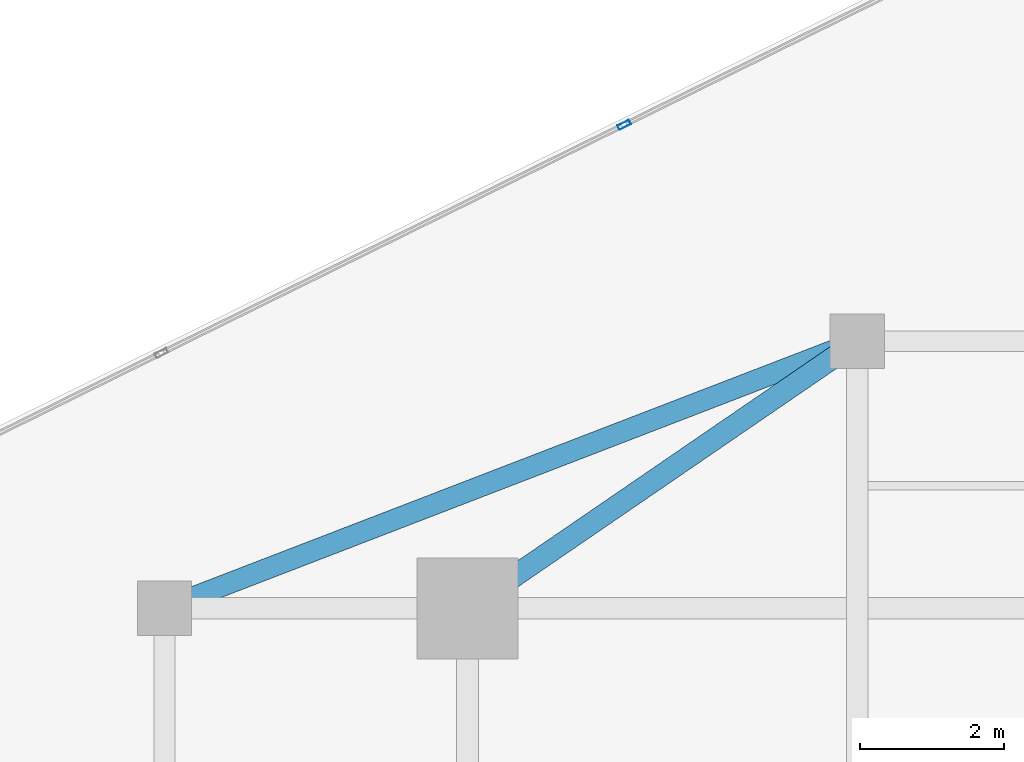
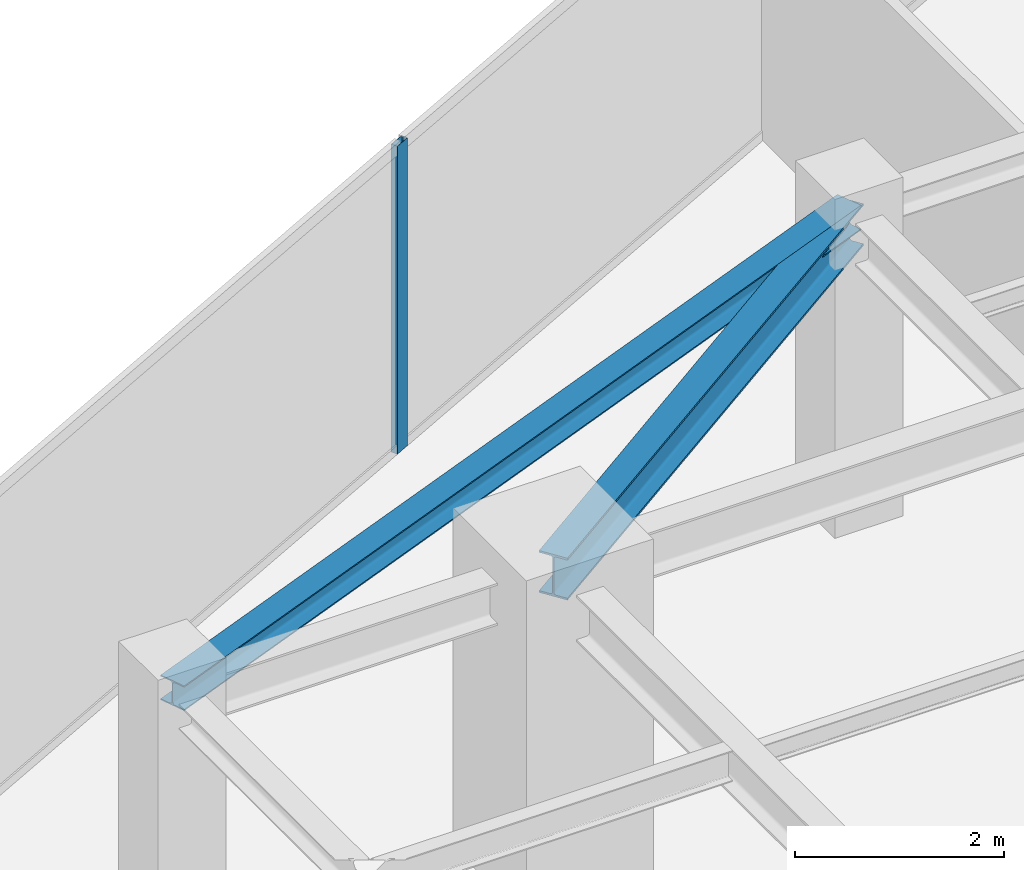
# One storey, part 13 of 22: 2 beams, 1 member, 1 element without a shape of its own.
"""IFC4 building model written with IfcOpenShell, lengths in metres."""

from ifc_helpers import new_model, si_unit, direction, frame, origin, origin_2d, place, context, subcontext, project, spatial, hollow_rectangle, i_section, extrude, source, transform, mapped, material, material_profile, profile_set, type_object, type_shapes, element, aggregate, save


model = new_model("IFC4")

# Units and contexts
model_context = context("Model", 3, precision=1e-05, world=origin(), true_north=direction((0.0, 1.0)))
body_context = subcontext(model_context, "Body", "Model", "MODEL_VIEW")
ifc_project = project(units=[si_unit("LENGTHUNIT", "METRE"), si_unit("AREAUNIT", "SQUARE_METRE"), si_unit("VOLUMEUNIT", "CUBIC_METRE"), si_unit("PLANEANGLEUNIT", "RADIAN"), si_unit("MASSUNIT", "GRAM", prefix="KILO")], contexts=[model_context])

# Site, building, storey
site_placement = place(None, origin())
site = spatial("IfcSite", under=ifc_project, at=site_placement, CompositionType="ELEMENT")
building_placement = place(site_placement, origin())
building = spatial("IfcBuilding", under=site, at=building_placement, Name="Krantzveldt Concourse Tower", CompositionType="ELEMENT")
storey_placement = place(building_placement, frame((0.0, 0.0, 314.800048828125)))
storey = spatial("IfcBuildingStorey", under=building, at=storey_placement, Name="L77", CompositionType="ELEMENT", Elevation=314.800048828125)

# Beams
ifc_material_1 = material(Name="Steel S355JR", Category="steel")
ifc_material_profile_1 = material_profile(ifc_material_1, i_section(OverallWidth=0.300048828125, OverallDepth=0.489990234375, WebThickness=0.011962890625, FlangeThickness=0.02294921875, FilletRadius=0.027099609375, at=origin_2d()), Name="Steel S355JR", Category="steel")
ifc_profile_set_1 = profile_set([ifc_material_profile_1], Name="Steel S355JR - HEA 500")
beam_type_1 = type_object("IfcBeamType", Name="BM-B-HEA500", PredefinedType="BEAM", material=ifc_profile_set_1)
shared_shape_1 = source(origin(), body_context, "Body", "SweptSolid", [
    extrude(i_section(OverallWidth=0.300048828125, OverallDepth=0.489990234375, WebThickness=0.011962890625, FlangeThickness=0.02294921875, FilletRadius=0.027099609375, at=origin_2d()), origin(), (0.0, 0.0, 1.0), 6.546142578125),
])
type_shapes(beam_type_1, [shared_shape_1])
beam_1_placement = place(storey_placement, frame((25.199951171875, 37.5, 3.344970703125), z_axis=(0.824942999484, 0.565215930068, 0.0), x_axis=(-0.565215930068, 0.824942999484, 0.0)))
element("IfcBeam", 1, at=beam_1_placement, inside=storey, type_object=beam_type_1, Name="L77 Tower Girder BR-RL4", PredefinedType="BEAM", context=body_context, shape_type="MappedRepresentation", body=[
    mapped(shared_shape_1, transform((0.0, 0.0, 0.0), x_axis=(1.0, 0.0, 0.0), y_axis=(0.0, 1.0, 0.0), z_axis=(0.0, 0.0, 1.0), scale=1.0)),
])
ifc_material_profile_2 = material_profile(ifc_material_1, i_section(OverallWidth=0.2900390625, OverallDepth=0.2900390625, WebThickness=0.008544921875, FlangeThickness=0.013916015625, FilletRadius=0.027099609375, at=origin_2d()), Name="Steel S355JR", Category="steel")
ifc_profile_set_2 = profile_set([ifc_material_profile_2], Name="Steel S355JR - HEA 300")
beam_type_2 = type_object("IfcBeamType", Name="BM-SP-HEA300", PredefinedType="SPANDREL", material=ifc_profile_set_2)
shared_shape_2 = source(origin(), body_context, "Body", "SweptSolid", [
    extrude(i_section(OverallWidth=0.2900390625, OverallDepth=0.2900390625, WebThickness=0.008544921875, FlangeThickness=0.013916015625, FilletRadius=0.027099609375, at=origin_2d()), origin(), (0.0, 0.0, 1.0), 10.288330078125),
])
type_shapes(beam_type_2, [shared_shape_2])
beam_2_placement = place(storey_placement, frame((21.0, 37.5, 3.445068359375), z_axis=(0.933097690408, 0.359622997257, 0.0), x_axis=(-0.359622997257, 0.933097690408, 0.0)))
element("IfcBeam", 2, at=beam_2_placement, inside=storey, type_object=beam_type_2, Name="L77 Tower Girder SP-R03", PredefinedType="SPANDREL", context=body_context, shape_type="MappedRepresentation", body=[
    mapped(shared_shape_2, transform((0.0, 0.0, 0.0), x_axis=(1.0, 0.0, 0.0), y_axis=(0.0, 1.0, 0.0), z_axis=(0.0, 0.0, 1.0), scale=1.0)),
])

# Curtain wall, member
ifc_material_2 = material(Name="Anodised aluminium 6063-T6", Category="aluminium")
curtain_wall_type = type_object("IfcCurtainWallType", Name="CW4", PredefinedType="USERDEFINED", material=ifc_material_2)
curtain_wall_placement = place(storey_placement, origin())
curtain_wall = element("IfcCurtainWall", 3, at=curtain_wall_placement, inside=storey, type_object=curtain_wall_type, Name="CW-L77-F01", ObjectType="UNITISED CURTAIN WALL", PredefinedType="USERDEFINED")
ifc_material_profile_3 = material_profile(ifc_material_2, hollow_rectangle(XDim=0.070068359375, YDim=0.179931640625, WallThickness=0.0048828125, at=origin_2d()), Name="Anodised aluminium 6063-T6", Category="aluminium")
ifc_profile_set_3 = profile_set([ifc_material_profile_3], Name="Anodised aluminium 6063-T6 - ALU-MULL 180x70x5")
member_type = type_object("IfcMemberType", Name="CW-MUL-180", PredefinedType="MULLION", material=ifc_profile_set_3)
shared_shape_3 = source(origin(), body_context, "Body", "SweptSolid", [
    extrude(hollow_rectangle(XDim=0.070068359375, YDim=0.179931640625, WallThickness=0.0048828125, at=origin_2d()), origin(), (0.0, 0.0, 1.0), 3.58984375),
])
type_shapes(member_type, [shared_shape_3])
member_placement = place(storey_placement, frame((27.370849609375, 44.197998046875, 0.0), z_axis=(0.0, 0.0, 1.0), x_axis=(0.442288511927, -0.896872829457, 0.0)))
member = element("IfcMember", 4, at=member_placement, type_object=member_type, Name="CW-Z56 mullion 3", PredefinedType="MULLION", context=body_context, shape_type="MappedRepresentation", body=[
    mapped(shared_shape_3, transform((0.0, 0.0, 0.0), x_axis=(1.0, 0.0, 0.0), y_axis=(0.0, 1.0, 0.0), z_axis=(0.0, 0.0, 1.0), scale=1.0)),
])
aggregate(curtain_wall, [member])

save(model, "model.ifc")
